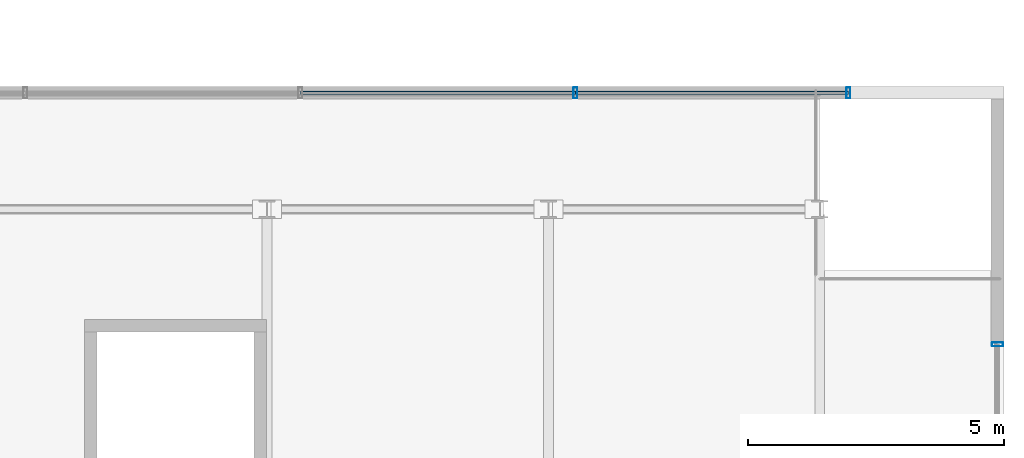
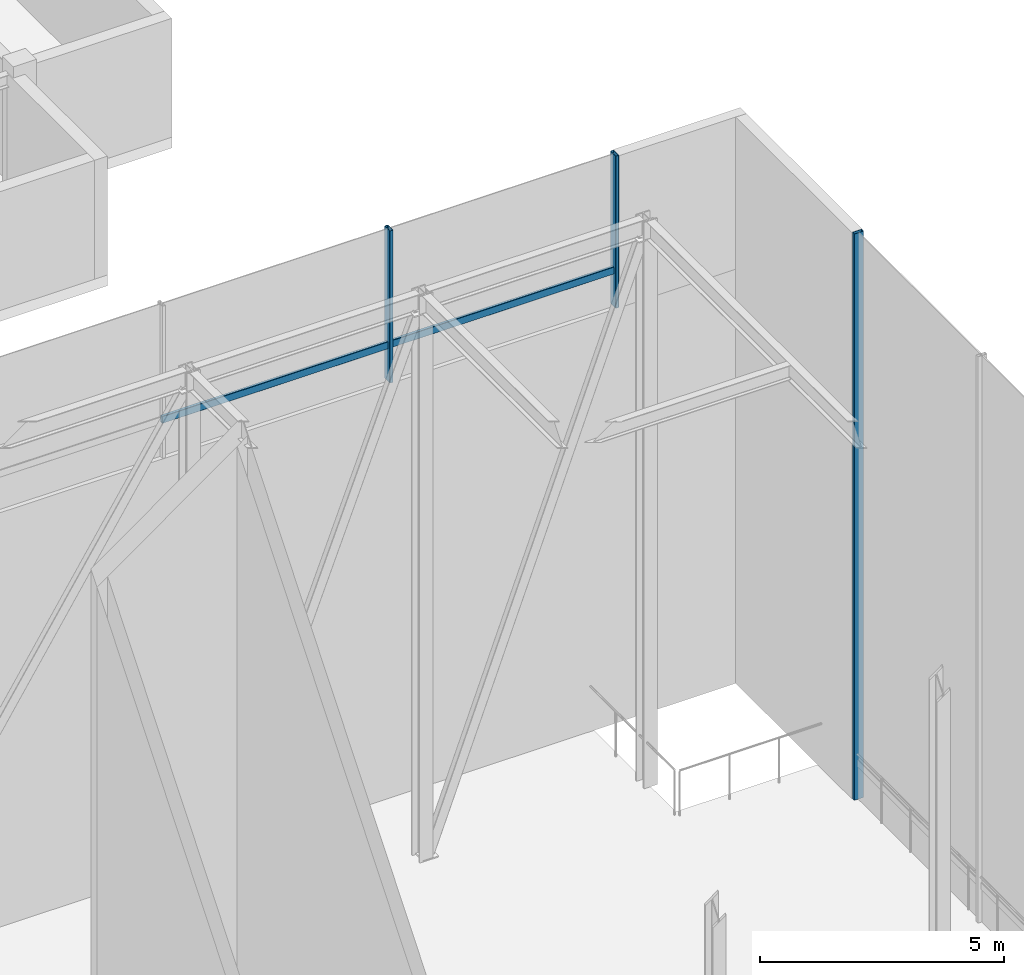
# One storey, part 28 of 42: 5 members, 2 elements without a shape of their own.
"""IFC4 building model written with IfcOpenShell, lengths in metres."""

from ifc_helpers import new_model, si_unit, direction, frame, origin, origin_2d, place, context, subcontext, project, spatial, hollow_rectangle, extrude, material, layer, layer_set, material_profile, profile_set, type_object, element, aggregate, save


model = new_model("IFC4")

# Units and contexts
model_context = context("Model", 3, precision=1e-05, world=origin(), true_north=direction((0.0, 1.0)))
body_context = subcontext(model_context, "Body", "Model", "MODEL_VIEW")
ifc_project = project(units=[si_unit("LENGTHUNIT", "METRE"), si_unit("AREAUNIT", "SQUARE_METRE"), si_unit("VOLUMEUNIT", "CUBIC_METRE"), si_unit("PLANEANGLEUNIT", "RADIAN"), si_unit("MASSUNIT", "GRAM", prefix="KILO")], contexts=[model_context])

# Site, building, storey
site_placement = place(None, origin())
site = spatial("IfcSite", under=ifc_project, at=site_placement, CompositionType="ELEMENT")
building_placement = place(site_placement, origin())
building = spatial("IfcBuilding", under=site, at=building_placement, Name="Korimba Cascade Residences", CompositionType="ELEMENT")
storey_placement = place(building_placement, frame((0.0, 0.0, 207.60009765625)))
storey = spatial("IfcBuildingStorey", under=building, at=storey_placement, Name="L60", CompositionType="ELEMENT", Elevation=207.60009765625)

# Curtain wall, member
ifc_material_1 = material(Name="Anodised Aluminium Curtain Wall Framing", Category="aluminium")
ifc_layer = layer(ifc_material_1, 0.179931640625)
ifc_layer_set = layer_set([ifc_layer], Name="Anodised Aluminium Curtain Wall Framing")
curtain_wall_type = type_object("IfcCurtainWallType", Name="CW-CRNE-SYS6", PredefinedType="NOTDEFINED", material=ifc_layer_set)
curtain_wall_1_placement = place(storey_placement, origin())
curtain_wall_1 = element("IfcCurtainWall", 1, at=curtain_wall_1_placement, inside=storey, type_object=curtain_wall_type, Name="L60 Curtain Wall CW-L60-CRN-E-1", PredefinedType="NOTDEFINED")
ifc_material_2 = material(Name="Anodised Aluminium Mullion", Category="aluminium")
ifc_material_profile_1 = material_profile(ifc_material_2, hollow_rectangle(XDim=0.080078125, YDim=0.219970703125, WallThickness=0.00634765625, InnerFilletRadius=0.00634765625, OuterFilletRadius=0.0126953125, at=origin_2d()), Name="Anodised Aluminium Mullion")
ifc_profile_set_1 = profile_set([ifc_material_profile_1], Name="Anodised Aluminium Mullion")
member_type_1 = type_object("IfcMemberType", Name="CWM-MUL-220", PredefinedType="MULLION", material=ifc_profile_set_1)
member_1_placement = place(storey_placement, frame((132.375, 27.760009765625, 0.0), z_axis=(0.0, 0.0, 1.0), x_axis=(0.0, 1.0, 0.0)))
member_1 = element("IfcMember", 2, at=member_1_placement, type_object=member_type_1, Name="CW-L60-CRN-E-1 Mullion 7", PredefinedType="MULLION", context=body_context, shape_type="SweptSolid", body=[
    extrude(hollow_rectangle(XDim=0.080078125, YDim=0.219970703125, WallThickness=0.00634765625, InnerFilletRadius=0.00634765625, OuterFilletRadius=0.0126953125, at=origin_2d()), origin(), (0.0, 0.0, 1.0), 14.14990234375),
])
aggregate(curtain_wall_1, [member_1])

# Curtain wall, members
curtain_wall_2_placement = place(storey_placement, origin())
curtain_wall_2 = element("IfcCurtainWall", 3, at=curtain_wall_2_placement, inside=storey, type_object=curtain_wall_type, Name="L60 Curtain Wall CW-L60-CRN-E-2", PredefinedType="NOTDEFINED")
member_2_placement = place(storey_placement, frame((124.125, 32.675048828125, 10.349853515625), z_axis=(0.0, 0.0, 1.0), x_axis=(1.0, 0.0, 0.0)))
member_2 = element("IfcMember", 4, at=member_2_placement, type_object=member_type_1, Name="CW-L60-CRN-E-2 Mullion 4", PredefinedType="MULLION", context=body_context, shape_type="SweptSolid", body=[
    extrude(hollow_rectangle(XDim=0.080078125, YDim=0.219970703125, WallThickness=0.00634765625, InnerFilletRadius=0.00634765625, OuterFilletRadius=0.0126953125, at=origin_2d()), origin(), (0.0, 0.0, 1.0), 3.800048828125),
])
member_3_placement = place(storey_placement, frame((129.4599609375, 32.675048828125, 10.349853515625), z_axis=(0.0, 0.0, 1.0), x_axis=(1.0, 0.0, 0.0)))
member_3 = element("IfcMember", 5, at=member_3_placement, type_object=member_type_1, Name="CW-L60-CRN-E-2 Mullion 5", PredefinedType="MULLION", context=body_context, shape_type="SweptSolid", body=[
    extrude(hollow_rectangle(XDim=0.080078125, YDim=0.219970703125, WallThickness=0.00634765625, InnerFilletRadius=0.00634765625, OuterFilletRadius=0.0126953125, at=origin_2d()), origin(), (0.0, 0.0, 1.0), 3.800048828125),
])
ifc_material_3 = material(Name="Anodised Aluminium Transom", Category="aluminium")
ifc_material_profile_2 = material_profile(ifc_material_3, hollow_rectangle(XDim=0.070068359375, YDim=0.179931640625, WallThickness=0.0048828125, InnerFilletRadius=0.0048828125, OuterFilletRadius=0.010009765625, at=origin_2d()), Name="Anodised Aluminium Transom")
ifc_profile_set_2 = profile_set([ifc_material_profile_2], Name="Anodised Aluminium Transom")
member_type_2 = type_object("IfcMemberType", Name="CWM-TRN-150", PredefinedType="USERDEFINED", material=ifc_profile_set_2)
member_4_placement = place(storey_placement, frame((118.75, 32.675048828125, 11.25), z_axis=(1.0, 0.0, 0.0), x_axis=(0.0, 1.0, 0.0)))
member_4 = element("IfcMember", 6, at=member_4_placement, type_object=member_type_2, Name="CW-L60-CRN-E-2 Transom 3", ObjectType="TRANSOM", PredefinedType="USERDEFINED", context=body_context, shape_type="SweptSolid", body=[
    extrude(hollow_rectangle(XDim=0.070068359375, YDim=0.179931640625, WallThickness=0.0048828125, InnerFilletRadius=0.0048828125, OuterFilletRadius=0.010009765625, at=origin_2d()), origin(), (0.0, 0.0, 1.0), 5.375),
])
member_5_placement = place(storey_placement, frame((124.125, 32.675048828125, 11.25), z_axis=(1.0, 0.0, 0.0), x_axis=(0.0, 1.0, 0.0)))
member_5 = element("IfcMember", 7, at=member_5_placement, type_object=member_type_2, Name="CW-L60-CRN-E-2 Transom 4", ObjectType="TRANSOM", PredefinedType="USERDEFINED", context=body_context, shape_type="SweptSolid", body=[
    extrude(hollow_rectangle(XDim=0.070068359375, YDim=0.179931640625, WallThickness=0.0048828125, InnerFilletRadius=0.0048828125, OuterFilletRadius=0.010009765625, at=origin_2d()), origin(), (0.0, 0.0, 1.0), 5.3349609375),
])
aggregate(curtain_wall_2, [member_2, member_3, member_4, member_5])

save(model, "model.ifc")
